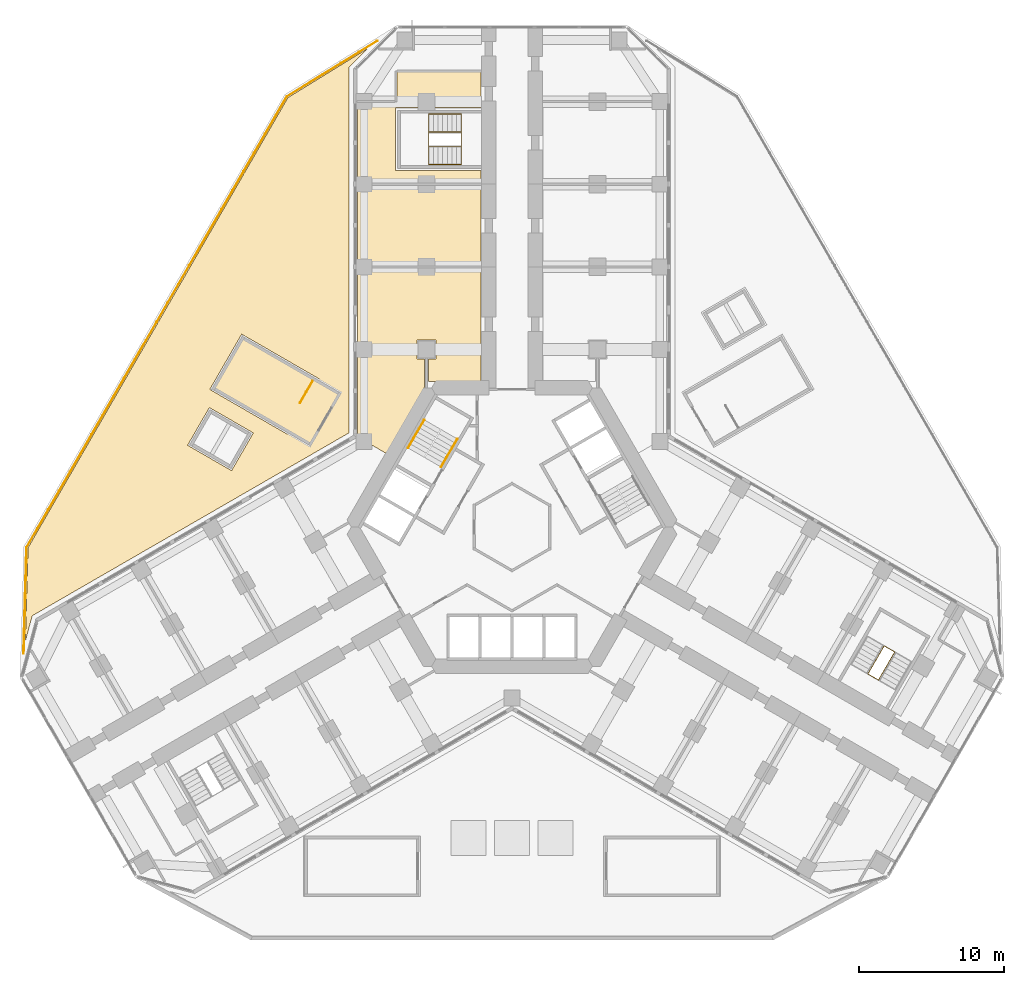
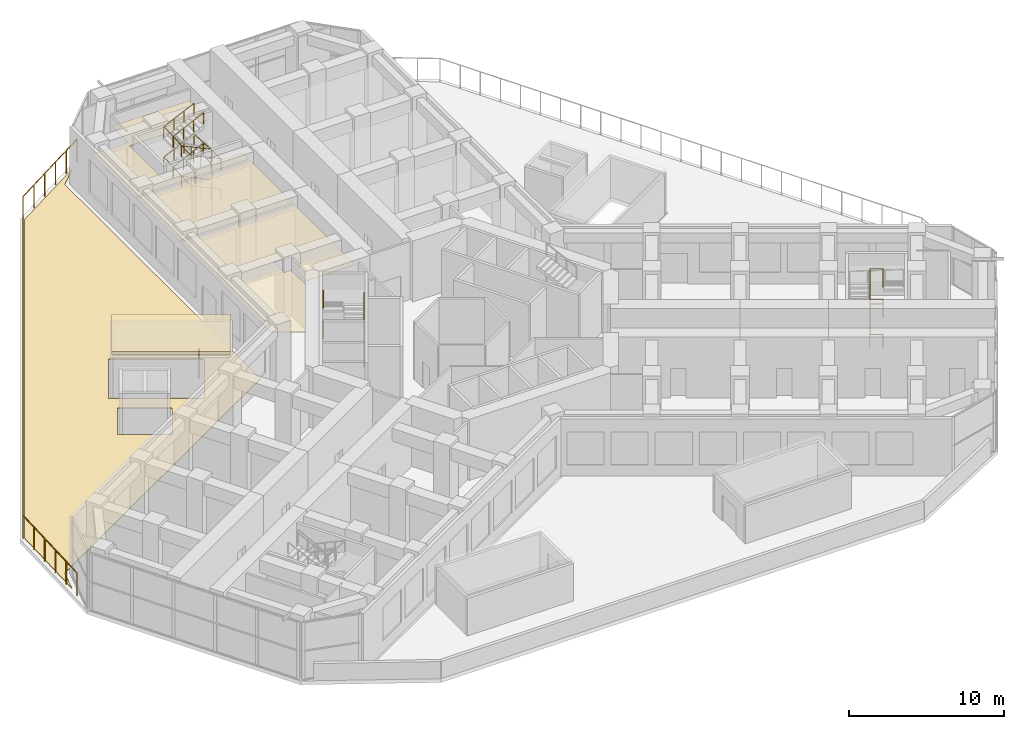
# One storey, part 17 of 18: 9 railings, 5 coverings.
"""IFC4 building model written with IfcOpenShell, lengths in metres."""

import ifcopenshell
import ifcopenshell.guid

model = None  # the IFC model being written
_history = None  # IfcOwnerHistory: only IFC2X3 demands one
_inside = {}  # id of a spatial element -> (the spatial element, [elements in it])
_under = {}  # id of a project, library or spatial element -> (it, [spatial elements below it])
_declared = {}  # id of a project -> (the project, [libraries it declares])
_typed = {}  # id of a type object -> (the type object, [elements of that type])
_made_of = {}  # id of a material, layer set ... -> (it, [elements and type objects made of it])


def new_model(schema):
    """Start an empty IFC model of exactly this schema.

    Asked for "IFC4X3", IfcOpenShell would pick the latest addendum, in which some entities
    have other attributes; the version numbers below select the first issue.
    IFC2X3 requires an IfcOwnerHistory on every rooted entity: one is made here for all.
    """
    global model, _history
    if schema == "IFC4X3":
        model = ifcopenshell.file(schema_version=(4, 3, 0, 0))
    else:
        model = ifcopenshell.file(schema=schema)
    _inside.clear()
    _under.clear()
    _declared.clear()
    _typed.clear()
    _made_of.clear()
    _history = None
    if model.schema == "IFC2X3":
        org = make("IfcOrganization", Name="unknown")
        user = make(
            "IfcPersonAndOrganization",
            ThePerson=make("IfcPerson", FamilyName="unknown"),
            TheOrganization=org,
        )
        app = make(
            "IfcApplication",
            ApplicationDeveloper=org,
            Version="unknown",
            ApplicationFullName="unknown",
            ApplicationIdentifier="unknown",
        )
        _history = make(
            "IfcOwnerHistory",
            OwningUser=user,
            OwningApplication=app,
            ChangeAction="ADDED",
            CreationDate=0,
        )
    return model


def make(cls, **values):
    """One entity of the class cls with the attributes given. An attribute that is None is left unset."""
    return model.create_entity(
        cls, **{name: value for name, value in values.items() if value is not None}
    )


def rooted(cls, **values):
    """An entity with a GlobalId (a new one), such as an element, a storey or a relation."""
    return make(cls, GlobalId=ifcopenshell.guid.new(), OwnerHistory=_history, **values)


def si_unit(unit_type, name, prefix=None):
    """IfcSIUnit, for example si_unit("LENGTHUNIT", "METRE", prefix="MILLI")."""
    return make("IfcSIUnit", UnitType=unit_type, Prefix=prefix, Name=name)


def assignment(units):
    """IfcUnitAssignment: the units of a project."""
    return None if units is None else make("IfcUnitAssignment", Units=units)


def point(xyz):
    """IfcCartesianPoint."""
    return None if xyz is None else make("IfcCartesianPoint", Coordinates=xyz)


def direction(xyz):
    """IfcDirection."""
    return None if xyz is None else make("IfcDirection", DirectionRatios=xyz)


def frame(location, z_axis=None, x_axis=None):
    """IfcAxis2Placement3D, a coordinate frame: its origin and axes. An axis left out is left unset."""
    return make(
        "IfcAxis2Placement3D",
        Location=point(location),
        Axis=direction(z_axis),
        RefDirection=direction(x_axis),
    )


def frame_2d(location, x_axis=None):
    """IfcAxis2Placement2D, a coordinate frame in the plane: its origin and x axis."""
    return make(
        "IfcAxis2Placement2D", Location=point(location), RefDirection=direction(x_axis)
    )


def origin():
    """The frame at (0, 0, 0) with its axes left unset."""
    return frame((0.0, 0.0, 0.0))


def origin_2d():
    """The frame at (0, 0) in the plane with its x axis left unset."""
    return frame_2d((0.0, 0.0))


def place(relative_to, where):
    """IfcLocalPlacement: puts the frame where relative to a parent placement (None: the world)."""
    return make(
        "IfcLocalPlacement", PlacementRelTo=relative_to, RelativePlacement=where
    )


def context(
    kind, dimensions, precision=None, world=None, true_north=None, identifier=None
):
    """IfcGeometricRepresentationContext, for example the 3D "Model" context."""
    return make(
        "IfcGeometricRepresentationContext",
        ContextIdentifier=identifier,
        ContextType=kind,
        CoordinateSpaceDimension=dimensions,
        Precision=precision,
        WorldCoordinateSystem=world,
        TrueNorth=true_north,
    )


def subcontext(parent, identifier, kind, view, scale=None):
    """IfcGeometricRepresentationSubContext, for example "Body" below "Model"."""
    return make(
        "IfcGeometricRepresentationSubContext",
        ContextIdentifier=identifier,
        ContextType=kind,
        ParentContext=parent,
        TargetScale=scale,
        TargetView=view,
    )


def project(units=None, contexts=None):
    """IfcProject with its units and contexts."""
    return rooted(
        "IfcProject",
        Name="project",
        RepresentationContexts=contexts,
        UnitsInContext=assignment(units),
    )


def spatial(cls, under=None, at=None, **own):
    """A site, building, storey or space (cls), placed at a placement, below another one or the project."""
    s = rooted(cls, ObjectPlacement=at, **own)
    if under is not None:
        _under.setdefault(under.id(), (under, []))[1].append(s)
    return s


def polyline(points):
    """IfcPolyline through the points."""
    return make("IfcPolyline", Points=[point(p) for p in points])


def profile(cls, at=None, kind="AREA", **sizes):
    """A parametric profile (cls). Its sizes go by their IFC names, for example OverallWidth=200.0."""
    return make(cls, ProfileType=kind, Position=at, **sizes)


def circle(**sizes):
    """IfcCircleProfileDef."""
    return profile("IfcCircleProfileDef", **sizes)


def outline(outer, holes=None, kind="AREA"):
    """IfcArbitraryClosedProfileDef: a profile drawn as a closed curve; with holes, ...WithVoids."""
    if holes is None:
        return make("IfcArbitraryClosedProfileDef", ProfileType=kind, OuterCurve=outer)
    return make(
        "IfcArbitraryProfileDefWithVoids",
        ProfileType=kind,
        OuterCurve=outer,
        InnerCurves=holes,
    )


def extrude(swept, where, along, depth):
    """IfcExtrudedAreaSolid: the profile swept, set in the frame where, extruded along a direction by depth."""
    return make(
        "IfcExtrudedAreaSolid",
        SweptArea=swept,
        Position=where,
        ExtrudedDirection=direction(along),
        Depth=depth,
    )


def shape(context_of_items, identifier, shape_type, items):
    """IfcShapeRepresentation: the items that make up one representation, for example the "Body"."""
    return make(
        "IfcShapeRepresentation",
        ContextOfItems=context_of_items,
        RepresentationIdentifier=identifier,
        RepresentationType=shape_type,
        Items=items,
    )


def material(Name=None, Category=None):
    """IfcMaterial."""
    return make("IfcMaterial", Name=Name, Category=Category)


def layer(
    of_material, thickness, ventilated=None, Name=None, Category=None, Priority=None
):
    """IfcMaterialLayer: one layer of a wall or slab, of a material (None: an air gap)."""
    return make(
        "IfcMaterialLayer",
        Material=of_material,
        LayerThickness=thickness,
        IsVentilated=ventilated,
        Name=Name,
        Category=Category,
        Priority=Priority,
    )


def layer_set(layers, Name=None):
    """IfcMaterialLayerSet."""
    return make("IfcMaterialLayerSet", MaterialLayers=layers, LayerSetName=Name)


def made_of(thing, what):
    """Note that an element or type object is made of a material, layer set ...; save() writes the relation."""
    if what is not None:
        _made_of.setdefault(what.id(), (what, []))[1].append(thing)
    return thing


def type_object(cls, material=None, **own):
    """A type object (cls), such as IfcWallType, which elements share."""
    return made_of(rooted(cls, **own), material)


def element(
    cls,
    number,
    at=None,
    inside=None,
    cuts=None,
    type_object=None,
    material=None,
    context=None,
    identifier="Body",
    shape_type=None,
    held_by="IfcProductDefinitionShape",
    body=None,
    shapes=None,
    **own,
):
    """One element of the class cls, such as IfcWall. Its Tag is "e" and its number.

    at: its placement. inside: the storey or other place that contains it. cuts: it is an
    opening in that element (IfcRelVoidsElement). A single representation is given by context,
    identifier, shape_type and body (its items); several are given by shapes. held_by: the class
    of the entity that holds the representations. save() writes the other relations.
    """
    e = rooted(cls, Tag="e%d" % number, ObjectPlacement=at, **own)
    if body is not None:
        shapes = [shape(context, identifier, shape_type, body)]
    if shapes is not None:
        e.Representation = make(held_by, Representations=shapes)
    if inside is not None:
        _inside.setdefault(inside.id(), (inside, []))[1].append(e)
    if cuts is not None:
        rooted(
            "IfcRelVoidsElement", RelatingBuildingElement=cuts, RelatedOpeningElement=e
        )
    if type_object is not None:
        _typed.setdefault(type_object.id(), (type_object, []))[1].append(e)
    return made_of(e, material)


def aggregate(whole, parts):
    """IfcRelAggregates: a whole, such as a stair, and the parts it consists of."""
    return rooted("IfcRelAggregates", RelatingObject=whole, RelatedObjects=parts)


def save(model, path):
    """Write the relations noted so far, then the file.

    IfcRelAggregates (storeys below a building ...), IfcRelContainedInSpatialStructure (elements
    in a storey), IfcRelDefinesByType, IfcRelAssociatesMaterial and IfcRelDeclares: one each for
    every whole, place, type object, material and project.
    """
    for whole, parts in _under.values():
        aggregate(whole, parts)
    for where, things in _inside.values():
        rooted(
            "IfcRelContainedInSpatialStructure",
            RelatedElements=things,
            RelatingStructure=where,
        )
    for kind, things in _typed.values():
        rooted("IfcRelDefinesByType", RelatedObjects=things, RelatingType=kind)
    for what, things in _made_of.values():
        rooted("IfcRelAssociatesMaterial", RelatedObjects=things, RelatingMaterial=what)
    for by, libraries in _declared.values():
        rooted("IfcRelDeclares", RelatingContext=by, RelatedDefinitions=libraries)
    model.write(path)


model = new_model("IFC4")

# Units and contexts
model_context = context("Model", 3, precision=1e-05, world=origin(), true_north=direction((0.0, 1.0)))
body_context = subcontext(model_context, "Body", "Model", "MODEL_VIEW")
ifc_project = project(units=[si_unit("LENGTHUNIT", "METRE"), si_unit("AREAUNIT", "SQUARE_METRE"), si_unit("VOLUMEUNIT", "CUBIC_METRE"), si_unit("PLANEANGLEUNIT", "RADIAN"), si_unit("MASSUNIT", "GRAM", prefix="KILO")], contexts=[model_context])

# Site, building, storey
site_placement = place(None, origin())
site = spatial("IfcSite", under=ifc_project, at=site_placement, CompositionType="ELEMENT")
building_placement = place(site_placement, origin())
building = spatial("IfcBuilding", under=site, at=building_placement, Name="Kosmar Iwan School Tower", CompositionType="ELEMENT")
storey_placement = place(building_placement, frame((0.0, 0.0, 20.39990234375)))
storey = spatial("IfcBuildingStorey", under=building, at=storey_placement, Name="L04", CompositionType="ELEMENT", Elevation=20.39990234375)

# Coverings
ifc_material_1 = material(Name="Mineral fibre acoustic tiles")
ifc_layer_1 = layer(ifc_material_1, 0.02490234375)
ifc_layer_set_1 = layer_set([ifc_layer_1], Name="Acoustic ceiling")
covering_type_1 = type_object("IfcCoveringType", Name="Acoustic ceiling", PredefinedType="CEILING", material=ifc_layer_set_1)
covering_1_placement = place(storey_placement, frame((0.0, 0.0, 3.650146484375)))
element("IfcCovering", 1, at=covering_1_placement, inside=storey, type_object=covering_type_1, Name="Ceiling Physics laboratory AL L04-AL-R1", PredefinedType="CEILING", context=body_context, shape_type="SweptSolid", body=[
    extrude(outline(polyline([(-8.67236328125, 5.0791015625), (-6.02490234375, 9.664306640625), (-6.02490234375, 11.60009765625), (-6.550048828125, 11.60009765625), (-6.550048828125, 12.89990234375), (-5.25, 12.89990234375), (-5.25, 11.60009765625), (-5.77490234375, 11.60009765625), (-5.77490234375, 10.050048828125), (-2.14990234375, 10.050048828125), (-2.14990234375, 17.89990234375), (-10.64990234375, 17.89990234375), (-10.64990234375, 6.224365234375), (-8.67236328125, 5.0791015625)])), origin(), (0.0, 0.0, 1.0), 0.02490234375),
])
covering_2_placement = place(storey_placement, frame((0.0, 0.0, 3.650146484375)))
element("IfcCovering", 2, at=covering_2_placement, inside=storey, type_object=covering_type_1, Name="Ceiling Chemistry laboratory AL L04-AL-R2", PredefinedType="CEILING", context=body_context, shape_type="SweptSolid", body=[
    extrude(outline(polyline([(-10.64990234375, 18.06005859375), (-2.14990234375, 18.06005859375), (-2.14990234375, 23.60009765625), (-10.64990234375, 23.60009765625), (-10.64990234375, 18.06005859375)])), origin(), (0.0, 0.0, 1.0), 0.02490234375),
])
covering_3_placement = place(storey_placement, frame((0.0, 0.0, 3.650146484375)))
element("IfcCovering", 3, at=covering_3_placement, inside=storey, type_object=covering_type_1, Name="Ceiling Biology laboratory AL L04-AL-R3", PredefinedType="CEILING", context=body_context, shape_type="SweptSolid", body=[
    extrude(outline(polyline([(-10.64990234375, 23.760009765625), (-2.14990234375, 23.760009765625), (-2.14990234375, 24.60009765625), (-8.050048828125, 24.60009765625), (-8.050048828125, 28.89990234375), (-2.14990234375, 28.89990234375), (-2.14990234375, 31.39990234375), (-7.949951171875, 31.39990234375), (-7.949951171875, 29.300048828125), (-10.64990234375, 29.300048828125), (-10.64990234375, 23.760009765625)])), origin(), (0.0, 0.0, 1.0), 0.02490234375),
])

# Railing
ifc_material_2 = material(Name="Black steel", Category="steel")
railing_type_1 = type_object("IfcRailingType", Name="Play deck guard 1800", PredefinedType="GUARDRAIL", material=ifc_material_2)
railing_1_placement = place(storey_placement, frame((-33.691162109375, -8.715576171875, 0.0400390625)))
element("IfcRailing", 4, at=railing_1_placement, inside=storey, type_object=railing_type_1, Name="Play deck guard AB", PredefinedType="GUARDRAIL", context=body_context, shape_type="SweptSolid", body=[
    extrude(circle(Radius=0.02392578125, at=origin_2d()), frame((0.0, 0.0, 1.77587890625), z_axis=(0.028401797259, 0.999596587585, 0.0), x_axis=(-0.999596587585, 0.028401797259, 0.0)), (0.0, 0.0, 1.0), 7.32373046875),
    extrude(circle(Radius=0.02392578125, at=origin_2d()), frame((0.2080078125, 7.32080078125, 1.77587890625), z_axis=(0.500000316343, 0.866025221144, 0.0), x_axis=(-0.866025221144, 0.500000316343, 0.0)), (0.0, 0.0, 1.0), 35.89892578125),
    extrude(circle(Radius=0.02392578125, at=origin_2d()), frame((18.157470703125, 38.41015625, 1.77587890625), z_axis=(0.851476281934, 0.52439311714, 0.0), x_axis=(-0.52439311714, 0.851476281934, 0.0)), (0.0, 0.0, 1.0), 7.32373046875),
    extrude(circle(Radius=0.02099609375, at=origin_2d()), origin(), (0.0, 0.0, 1.0), 1.751953125),
    extrude(circle(Radius=0.02099609375, at=origin_2d()), frame((0.04150390625, 1.464111328125, 0.0)), (0.0, 0.0, 1.0), 1.751953125),
    extrude(circle(Radius=0.02099609375, at=origin_2d()), frame((0.083251953125, 2.92822265625, 0.0)), (0.0, 0.0, 1.0), 1.751953125),
    extrude(circle(Radius=0.02099609375, at=origin_2d()), frame((0.124755859375, 4.392578125, 0.0)), (0.0, 0.0, 1.0), 1.751953125),
    extrude(circle(Radius=0.02099609375, at=origin_2d()), frame((0.16650390625, 5.856689453125, 0.0)), (0.0, 0.0, 1.0), 1.751953125),
    extrude(circle(Radius=0.02099609375, at=origin_2d()), frame((0.2080078125, 7.32080078125, 0.0)), (0.0, 0.0, 1.0), 1.751953125),
    extrude(circle(Radius=0.02099609375, at=origin_2d()), frame((0.955810546875, 8.6162109375, 0.0)), (0.0, 0.0, 1.0), 1.751953125),
    extrude(circle(Radius=0.02099609375, at=origin_2d()), frame((1.703857421875, 9.91162109375, 0.0)), (0.0, 0.0, 1.0), 1.751953125),
    extrude(circle(Radius=0.02099609375, at=origin_2d()), frame((2.45166015625, 11.20703125, 0.0)), (0.0, 0.0, 1.0), 1.751953125),
    extrude(circle(Radius=0.02099609375, at=origin_2d()), frame((3.19970703125, 12.50244140625, 0.0)), (0.0, 0.0, 1.0), 1.751953125),
    extrude(circle(Radius=0.02099609375, at=origin_2d()), frame((3.947509765625, 13.7978515625, 0.0)), (0.0, 0.0, 1.0), 1.751953125),
    extrude(circle(Radius=0.02099609375, at=origin_2d()), frame((4.6953125, 15.09326171875, 0.0)), (0.0, 0.0, 1.0), 1.751953125),
    extrude(circle(Radius=0.02099609375, at=origin_2d()), frame((5.443359375, 16.388427734375, 0.0)), (0.0, 0.0, 1.0), 1.751953125),
    extrude(circle(Radius=0.02099609375, at=origin_2d()), frame((6.191162109375, 17.683837890625, 0.0)), (0.0, 0.0, 1.0), 1.751953125),
    extrude(circle(Radius=0.02099609375, at=origin_2d()), frame((6.93896484375, 18.979248046875, 0.0)), (0.0, 0.0, 1.0), 1.751953125),
    extrude(circle(Radius=0.02099609375, at=origin_2d()), frame((7.68701171875, 20.274658203125, 0.0)), (0.0, 0.0, 1.0), 1.751953125),
    extrude(circle(Radius=0.02099609375, at=origin_2d()), frame((8.434814453125, 21.570068359375, 0.0)), (0.0, 0.0, 1.0), 1.751953125),
    extrude(circle(Radius=0.02099609375, at=origin_2d()), frame((9.1826171875, 22.865478515625, 0.0)), (0.0, 0.0, 1.0), 1.751953125),
    extrude(circle(Radius=0.02099609375, at=origin_2d()), frame((9.9306640625, 24.160888671875, 0.0)), (0.0, 0.0, 1.0), 1.751953125),
    extrude(circle(Radius=0.02099609375, at=origin_2d()), frame((10.678466796875, 25.456298828125, 0.0)), (0.0, 0.0, 1.0), 1.751953125),
    extrude(circle(Radius=0.02099609375, at=origin_2d()), frame((11.426513671875, 26.751708984375, 0.0)), (0.0, 0.0, 1.0), 1.751953125),
    extrude(circle(Radius=0.02099609375, at=origin_2d()), frame((12.17431640625, 28.047119140625, 0.0)), (0.0, 0.0, 1.0), 1.751953125),
    extrude(circle(Radius=0.02099609375, at=origin_2d()), frame((12.922119140625, 29.342529296875, 0.0)), (0.0, 0.0, 1.0), 1.751953125),
    extrude(circle(Radius=0.02099609375, at=origin_2d()), frame((13.670166015625, 30.6376953125, 0.0)), (0.0, 0.0, 1.0), 1.751953125),
    extrude(circle(Radius=0.02099609375, at=origin_2d()), frame((14.41796875, 31.93310546875, 0.0)), (0.0, 0.0, 1.0), 1.751953125),
    extrude(circle(Radius=0.02099609375, at=origin_2d()), frame((15.166015625, 33.228515625, 0.0)), (0.0, 0.0, 1.0), 1.751953125),
    extrude(circle(Radius=0.02099609375, at=origin_2d()), frame((15.913818359375, 34.52392578125, 0.0)), (0.0, 0.0, 1.0), 1.751953125),
    extrude(circle(Radius=0.02099609375, at=origin_2d()), frame((16.66162109375, 35.8193359375, 0.0)), (0.0, 0.0, 1.0), 1.751953125),
    extrude(circle(Radius=0.02099609375, at=origin_2d()), frame((17.40966796875, 37.11474609375, 0.0)), (0.0, 0.0, 1.0), 1.751953125),
    extrude(circle(Radius=0.02099609375, at=origin_2d()), frame((18.157470703125, 38.41015625, 0.0)), (0.0, 0.0, 1.0), 1.751953125),
    extrude(circle(Radius=0.02099609375, at=origin_2d()), frame((19.40478515625, 39.17822265625, 0.0)), (0.0, 0.0, 1.0), 1.751953125),
    extrude(circle(Radius=0.02099609375, at=origin_2d()), frame((20.65185546875, 39.9462890625, 0.0)), (0.0, 0.0, 1.0), 1.751953125),
    extrude(circle(Radius=0.02099609375, at=origin_2d()), frame((21.899169921875, 40.714599609375, 0.0)), (0.0, 0.0, 1.0), 1.751953125),
    extrude(circle(Radius=0.02099609375, at=origin_2d()), frame((23.146240234375, 41.482666015625, 0.0)), (0.0, 0.0, 1.0), 1.751953125),
    extrude(circle(Radius=0.02099609375, at=origin_2d()), frame((24.3935546875, 42.250732421875, 0.0)), (0.0, 0.0, 1.0), 1.751953125),
])

# Coverings
ifc_material_3 = material(Name="Rubber safety surfacing")
ifc_layer_2 = layer(ifc_material_3, 0.0400390625)
ifc_layer_set_2 = layer_set([ifc_layer_2], Name="Play deck safety surface")
covering_type_2 = type_object("IfcCoveringType", Name="Play deck safety surface", PredefinedType="FLOORING", material=ifc_layer_set_2)
covering_4_placement = place(storey_placement, origin())
element("IfcCovering", 5, at=covering_4_placement, inside=storey, type_object=covering_type_2, Name="Play deck surface AB", PredefinedType="FLOORING", context=body_context, shape_type="SweptSolid", body=[
    extrude(outline(polyline([(-33.56689453125, -7.86572265625), (-33.09912109375, -6.119384765625), (-11.25, 6.4951171875), (-11.25, 31.724365234375), (-9.971435546875, 33.002685546875), (-15.459716796875, 29.622802734375), (-33.384033203125, -1.4228515625), (-33.56689453125, -7.86572265625)]), holes=[polyline([(-20.845458984375, 9.49462890625), (-15.493408203125, 6.40478515625), (-13.29345703125, 10.21533203125), (-18.645263671875, 13.30517578125), (-20.845458984375, 9.49462890625)]), polyline([(-20.875732421875, 8.2421875), (-22.375732421875, 5.64404296875), (-19.3447265625, 3.89404296875), (-17.8447265625, 6.4921875), (-20.875732421875, 8.2421875)])]), origin(), (0.0, 0.0, 1.0), 0.0400390625),
])
ifc_material_4 = material(Name="Insulated roofing membrane")
ifc_layer_3 = layer(ifc_material_4, 0.25)
ifc_layer_set_3 = layer_set([ifc_layer_3], Name="Roof membrane and insulation")
covering_type_3 = type_object("IfcCoveringType", Name="Roof membrane and insulation", PredefinedType="ROOFING", material=ifc_layer_set_3)
covering_5_placement = place(storey_placement, frame((0.0, 0.0, 3.400146484375)))
element("IfcCovering", 6, at=covering_5_placement, inside=storey, type_object=covering_type_3, Name="School stair SS4 roof covering", PredefinedType="ROOFING", context=body_context, shape_type="SweptSolid", body=[
    extrude(outline(polyline([(-11.853759765625, 9.2685546875), (-18.522216796875, 13.11865234375), (-20.6220703125, 9.4814453125), (-13.953857421875, 5.63134765625), (-11.853759765625, 9.2685546875)])), origin(), (0.0, 0.0, 1.0), 0.25),
])

# Railings
ifc_material_5 = material(Name="Black steel", Category="steel")
railing_type_2 = type_object("IfcRailingType", Name="Stair handrail 900", PredefinedType="HANDRAIL", material=ifc_material_5)
railing_2_placement = place(storey_placement, frame((-4.89453125, 4.142333984375, 0.150146484375)))
element("IfcRailing", 7, at=railing_2_placement, inside=storey, type_object=railing_type_2, Name="Handrail ST2 flight 1", PredefinedType="HANDRAIL", context=body_context, shape_type="SweptSolid", body=[
    extrude(circle(Radius=0.02392578125, at=origin_2d()), frame((0.0, 0.0, 0.8759765625), z_axis=(0.45267848932, 0.784169015945, 0.424453931233), x_axis=(-0.866054910533, 0.49994888933, 0.0)), (0.0, 0.0, 1.0), 2.473876953125),
    extrude(circle(Radius=0.02099609375, at=origin_2d()), origin(), (0.0, 0.0, 1.0), 0.851806640625),
    extrude(circle(Radius=0.02099609375, at=origin_2d()), frame((0.373291015625, 0.646728515625, 0.35009765625)), (0.0, 0.0, 1.0), 0.851806640625),
    extrude(circle(Radius=0.02099609375, at=origin_2d()), frame((0.74658203125, 1.293212890625, 0.699951171875)), (0.0, 0.0, 1.0), 0.851806640625),
    extrude(circle(Radius=0.02099609375, at=origin_2d()), frame((1.119873046875, 1.93994140625, 1.050048828125)), (0.0, 0.0, 1.0), 0.851806640625),
])
railing_3_placement = place(storey_placement, frame((-6.05224609375, 7.397216796875, 1.35009765625)))
element("IfcRailing", 8, at=railing_3_placement, inside=storey, type_object=railing_type_2, Name="Handrail ST2 flight 2", PredefinedType="HANDRAIL", context=body_context, shape_type="SweptSolid", body=[
    extrude(circle(Radius=0.02392578125, at=origin_2d()), frame((0.0, 0.0, 0.8759765625), z_axis=(-0.452756948549, -0.784133982819, 0.424434968551), x_axis=(0.866007717299, -0.500030632641, 0.0)), (0.0, 0.0, 1.0), 2.473876953125),
    extrude(circle(Radius=0.02099609375, at=origin_2d()), origin(), (0.0, 0.0, 1.0), 0.851806640625),
    extrude(circle(Radius=0.02099609375, at=origin_2d()), frame((-0.373291015625, -0.646728515625, 0.35009765625)), (0.0, 0.0, 1.0), 0.851806640625),
    extrude(circle(Radius=0.02099609375, at=origin_2d()), frame((-0.746826171875, -1.293212890625, 0.699951171875)), (0.0, 0.0, 1.0), 0.851806640625),
    extrude(circle(Radius=0.02099609375, at=origin_2d()), frame((-1.1201171875, -1.93994140625, 1.050048828125)), (0.0, 0.0, 1.0), 0.851806640625),
])
railing_4_placement = place(storey_placement, frame((-4.89453125, 4.142333984375, 2.550048828125)))
element("IfcRailing", 9, at=railing_4_placement, inside=storey, type_object=railing_type_2, Name="Handrail ST2 flight 3", PredefinedType="HANDRAIL", context=body_context, shape_type="SweptSolid", body=[
    extrude(circle(Radius=0.02392578125, at=origin_2d()), frame((0.0, 0.0, 0.8759765625), z_axis=(0.45267848932, 0.784169015945, 0.424453931233), x_axis=(-0.866054910533, 0.49994888933, 0.0)), (0.0, 0.0, 1.0), 2.473876953125),
    extrude(circle(Radius=0.02099609375, at=origin_2d()), origin(), (0.0, 0.0, 1.0), 0.851806640625),
    extrude(circle(Radius=0.02099609375, at=origin_2d()), frame((0.373291015625, 0.646728515625, 0.35009765625)), (0.0, 0.0, 1.0), 0.851806640625),
    extrude(circle(Radius=0.02099609375, at=origin_2d()), frame((0.74658203125, 1.293212890625, 0.699951171875)), (0.0, 0.0, 1.0), 0.851806640625),
    extrude(circle(Radius=0.02099609375, at=origin_2d()), frame((1.119873046875, 1.93994140625, 1.050048828125)), (0.0, 0.0, 1.0), 0.851806640625),
])
railing_5_placement = place(storey_placement, frame((-6.05224609375, 7.397216796875, 3.75)))
element("IfcRailing", 10, at=railing_5_placement, inside=storey, type_object=railing_type_2, Name="Handrail ST2 flight 4", PredefinedType="HANDRAIL", context=body_context, shape_type="SweptSolid", body=[
    extrude(circle(Radius=0.02392578125, at=origin_2d()), frame((0.0, 0.0, 0.8759765625), z_axis=(-0.452756948549, -0.784133982819, 0.424434968551), x_axis=(0.866007717299, -0.500030632641, 0.0)), (0.0, 0.0, 1.0), 2.473876953125),
    extrude(circle(Radius=0.02099609375, at=origin_2d()), origin(), (0.0, 0.0, 1.0), 0.851806640625),
    extrude(circle(Radius=0.02099609375, at=origin_2d()), frame((-0.373291015625, -0.646728515625, 0.35009765625)), (0.0, 0.0, 1.0), 0.851806640625),
    extrude(circle(Radius=0.02099609375, at=origin_2d()), frame((-0.746826171875, -1.293212890625, 0.699951171875)), (0.0, 0.0, 1.0), 0.851806640625),
    extrude(circle(Radius=0.02099609375, at=origin_2d()), frame((-1.1201171875, -1.93994140625, 1.050048828125)), (0.0, 0.0, 1.0), 0.851806640625),
])
railing_6_placement = place(storey_placement, frame((-3.5, 25.010009765625, 0.150146484375)))
element("IfcRailing", 11, at=railing_6_placement, inside=storey, type_object=railing_type_2, Name="Handrail stair WS1 L04 wall side", PredefinedType="HANDRAIL", context=body_context, shape_type="SweptSolid", body=[
    extrude(circle(Radius=0.02392578125, at=origin_2d()), frame((0.0, 0.0, 0.8759765625), z_axis=(-0.905450639465, 0.0, 0.424451574969), x_axis=(0.0, -1.0, 0.0)), (0.0, 0.0, 1.0), 2.473876953125),
    extrude(circle(Radius=0.02392578125, at=origin_2d()), frame((-2.239990234375, 0.0, 1.92578125), z_axis=(0.0, 0.999073534241, 0.0430357198), x_axis=(-1.0, 0.0, 0.0)), (0.0, 0.0, 1.0), 3.483154296875),
    extrude(circle(Radius=0.02392578125, at=origin_2d()), frame((-2.239990234375, 3.47998046875, 2.07568359375), z_axis=(0.905450639465, 0.0, 0.424451574969), x_axis=(0.0, 1.0, 0.0)), (0.0, 0.0, 1.0), 2.473876953125),
    extrude(circle(Radius=0.02392578125, at=origin_2d()), frame((0.0, 3.47998046875, 3.1259765625), z_axis=(0.0, -0.999073534241, 0.0430357198), x_axis=(1.0, 0.0, 0.0)), (0.0, 0.0, 1.0), 3.483154296875),
    extrude(circle(Radius=0.02392578125, at=origin_2d()), frame((0.0, 0.0, 3.27587890625), z_axis=(-0.905450639465, 0.0, 0.424451574969), x_axis=(0.0, -1.0, 0.0)), (0.0, 0.0, 1.0), 2.473876953125),
    extrude(circle(Radius=0.02392578125, at=origin_2d()), frame((-2.239990234375, 0.0, 4.32568359375), z_axis=(0.0, 0.999073534241, 0.0430357198), x_axis=(-1.0, 0.0, 0.0)), (0.0, 0.0, 1.0), 3.483154296875),
    extrude(circle(Radius=0.02392578125, at=origin_2d()), frame((-2.239990234375, 3.47998046875, 4.4755859375), z_axis=(0.905450639465, 0.0, 0.424451574969), x_axis=(0.0, 1.0, 0.0)), (0.0, 0.0, 1.0), 2.473876953125),
    extrude(circle(Radius=0.02099609375, at=origin_2d()), origin(), (0.0, 0.0, 1.0), 0.851806640625),
    extrude(circle(Radius=0.02099609375, at=origin_2d()), frame((-0.74658203125, 0.0, 0.35009765625)), (0.0, 0.0, 1.0), 0.851806640625),
    extrude(circle(Radius=0.02099609375, at=origin_2d()), frame((-1.493408203125, 0.0, 0.699951171875)), (0.0, 0.0, 1.0), 0.851806640625),
    extrude(circle(Radius=0.02099609375, at=origin_2d()), frame((-2.239990234375, 0.0, 1.050048828125)), (0.0, 0.0, 1.0), 0.851806640625),
    extrude(circle(Radius=0.02099609375, at=origin_2d()), frame((-2.239990234375, 1.159912109375, 1.10009765625)), (0.0, 0.0, 1.0), 0.851806640625),
    extrude(circle(Radius=0.02099609375, at=origin_2d()), frame((-2.239990234375, 2.320068359375, 1.14990234375)), (0.0, 0.0, 1.0), 0.851806640625),
    extrude(circle(Radius=0.02099609375, at=origin_2d()), frame((-2.239990234375, 3.47998046875, 1.199951171875)), (0.0, 0.0, 1.0), 0.851806640625),
    extrude(circle(Radius=0.02099609375, at=origin_2d()), frame((-1.493408203125, 3.47998046875, 1.550048828125)), (0.0, 0.0, 1.0), 0.851806640625),
    extrude(circle(Radius=0.02099609375, at=origin_2d()), frame((-0.74658203125, 3.47998046875, 1.89990234375)), (0.0, 0.0, 1.0), 0.851806640625),
    extrude(circle(Radius=0.02099609375, at=origin_2d()), frame((0.0, 3.47998046875, 2.25)), (0.0, 0.0, 1.0), 0.851806640625),
    extrude(circle(Radius=0.02099609375, at=origin_2d()), frame((0.0, 2.320068359375, 2.300048828125)), (0.0, 0.0, 1.0), 0.851806640625),
    extrude(circle(Radius=0.02099609375, at=origin_2d()), frame((0.0, 1.159912109375, 2.349853515625)), (0.0, 0.0, 1.0), 0.851806640625),
    extrude(circle(Radius=0.02099609375, at=origin_2d()), frame((0.0, 0.0, 2.39990234375)), (0.0, 0.0, 1.0), 0.851806640625),
    extrude(circle(Radius=0.02099609375, at=origin_2d()), frame((-0.74658203125, 0.0, 2.75)), (0.0, 0.0, 1.0), 0.851806640625),
    extrude(circle(Radius=0.02099609375, at=origin_2d()), frame((-1.493408203125, 0.0, 3.099853515625)), (0.0, 0.0, 1.0), 0.851806640625),
    extrude(circle(Radius=0.02099609375, at=origin_2d()), frame((-2.239990234375, 0.0, 3.449951171875)), (0.0, 0.0, 1.0), 0.851806640625),
    extrude(circle(Radius=0.02099609375, at=origin_2d()), frame((-2.239990234375, 1.159912109375, 3.5)), (0.0, 0.0, 1.0), 0.851806640625),
    extrude(circle(Radius=0.02099609375, at=origin_2d()), frame((-2.239990234375, 2.320068359375, 3.5498046875)), (0.0, 0.0, 1.0), 0.851806640625),
    extrude(circle(Radius=0.02099609375, at=origin_2d()), frame((-2.239990234375, 3.47998046875, 3.599853515625)), (0.0, 0.0, 1.0), 0.851806640625),
    extrude(circle(Radius=0.02099609375, at=origin_2d()), frame((-1.493408203125, 3.47998046875, 3.949951171875)), (0.0, 0.0, 1.0), 0.851806640625),
    extrude(circle(Radius=0.02099609375, at=origin_2d()), frame((-0.74658203125, 3.47998046875, 4.2998046875)), (0.0, 0.0, 1.0), 0.851806640625),
    extrude(circle(Radius=0.02099609375, at=origin_2d()), frame((0.0, 3.47998046875, 4.64990234375)), (0.0, 0.0, 1.0), 0.851806640625),
])
railing_7_placement = place(storey_placement, frame((-3.5, 26.239990234375, 0.150146484375)))
element("IfcRailing", 12, at=railing_7_placement, inside=storey, type_object=railing_type_2, Name="Handrail stair WS1 L04 well side", PredefinedType="HANDRAIL", context=body_context, shape_type="SweptSolid", body=[
    extrude(circle(Radius=0.02392578125, at=origin_2d()), frame((0.0, 0.0, 0.8759765625), z_axis=(-0.905450639465, 0.0, 0.424451574969), x_axis=(0.0, -1.0, 0.0)), (0.0, 0.0, 1.0), 2.473876953125),
    extrude(circle(Radius=0.02392578125, at=origin_2d()), frame((-2.239990234375, 0.0, 1.92578125), z_axis=(0.0, 0.989373166647, 0.145398545793), x_axis=(-1.0, 0.0, 0.0)), (0.0, 0.0, 1.0), 1.031005859375),
    extrude(circle(Radius=0.02392578125, at=origin_2d()), frame((-2.239990234375, 1.02001953125, 2.07568359375), z_axis=(0.905450639465, 0.0, 0.424451574969), x_axis=(0.0, 1.0, 0.0)), (0.0, 0.0, 1.0), 2.473876953125),
    extrude(circle(Radius=0.02392578125, at=origin_2d()), frame((0.0, 1.02001953125, 3.1259765625), z_axis=(0.0, -0.989373166647, 0.145398545793), x_axis=(1.0, 0.0, 0.0)), (0.0, 0.0, 1.0), 1.031005859375),
    extrude(circle(Radius=0.02392578125, at=origin_2d()), frame((0.0, 0.0, 3.27587890625), z_axis=(-0.905450639465, 0.0, 0.424451574969), x_axis=(0.0, -1.0, 0.0)), (0.0, 0.0, 1.0), 2.473876953125),
    extrude(circle(Radius=0.02392578125, at=origin_2d()), frame((-2.239990234375, 0.0, 4.32568359375), z_axis=(0.0, 0.989373166647, 0.145398545793), x_axis=(-1.0, 0.0, 0.0)), (0.0, 0.0, 1.0), 1.031005859375),
    extrude(circle(Radius=0.02392578125, at=origin_2d()), frame((-2.239990234375, 1.02001953125, 4.4755859375), z_axis=(0.905450639465, 0.0, 0.424451574969), x_axis=(0.0, 1.0, 0.0)), (0.0, 0.0, 1.0), 2.473876953125),
    extrude(circle(Radius=0.02099609375, at=origin_2d()), origin(), (0.0, 0.0, 1.0), 0.851806640625),
    extrude(circle(Radius=0.02099609375, at=origin_2d()), frame((-0.74658203125, 0.0, 0.35009765625)), (0.0, 0.0, 1.0), 0.851806640625),
    extrude(circle(Radius=0.02099609375, at=origin_2d()), frame((-1.493408203125, 0.0, 0.699951171875)), (0.0, 0.0, 1.0), 0.851806640625),
    extrude(circle(Radius=0.02099609375, at=origin_2d()), frame((-2.239990234375, 0.0, 1.050048828125)), (0.0, 0.0, 1.0), 0.851806640625),
    extrude(circle(Radius=0.02099609375, at=origin_2d()), frame((-2.239990234375, 1.02001953125, 1.199951171875)), (0.0, 0.0, 1.0), 0.851806640625),
    extrude(circle(Radius=0.02099609375, at=origin_2d()), frame((-1.493408203125, 1.02001953125, 1.550048828125)), (0.0, 0.0, 1.0), 0.851806640625),
    extrude(circle(Radius=0.02099609375, at=origin_2d()), frame((-0.74658203125, 1.02001953125, 1.89990234375)), (0.0, 0.0, 1.0), 0.851806640625),
    extrude(circle(Radius=0.02099609375, at=origin_2d()), frame((0.0, 1.02001953125, 2.25)), (0.0, 0.0, 1.0), 0.851806640625),
    extrude(circle(Radius=0.02099609375, at=origin_2d()), frame((0.0, 0.0, 2.39990234375)), (0.0, 0.0, 1.0), 0.851806640625),
    extrude(circle(Radius=0.02099609375, at=origin_2d()), frame((-0.74658203125, 0.0, 2.75)), (0.0, 0.0, 1.0), 0.851806640625),
    extrude(circle(Radius=0.02099609375, at=origin_2d()), frame((-1.493408203125, 0.0, 3.099853515625)), (0.0, 0.0, 1.0), 0.851806640625),
    extrude(circle(Radius=0.02099609375, at=origin_2d()), frame((-2.239990234375, 0.0, 3.449951171875)), (0.0, 0.0, 1.0), 0.851806640625),
    extrude(circle(Radius=0.02099609375, at=origin_2d()), frame((-2.239990234375, 1.02001953125, 3.599853515625)), (0.0, 0.0, 1.0), 0.851806640625),
    extrude(circle(Radius=0.02099609375, at=origin_2d()), frame((-1.493408203125, 1.02001953125, 3.949951171875)), (0.0, 0.0, 1.0), 0.851806640625),
    extrude(circle(Radius=0.02099609375, at=origin_2d()), frame((-0.74658203125, 1.02001953125, 4.2998046875)), (0.0, 0.0, 1.0), 0.851806640625),
    extrude(circle(Radius=0.02099609375, at=origin_2d()), frame((0.0, 1.02001953125, 4.64990234375)), (0.0, 0.0, 1.0), 0.851806640625),
])
ifc_material_6 = material(Name="Black steel", Category="steel")
railing_type_3 = type_object("IfcRailingType", Name="Stair well guard 1100", PredefinedType="GUARDRAIL", material=ifc_material_6)
railing_8_placement = place(storey_placement, frame((25.280029296875, -10.553955078125, 0.0)))
element("IfcRailing", 13, at=railing_8_placement, inside=storey, type_object=railing_type_3, Name="Stair WS3 L04 well guard", PredefinedType="GUARDRAIL", context=body_context, shape_type="SweptSolid", body=[
    extrude(circle(Radius=0.02392578125, at=origin_2d()), frame((0.0, 0.0, 1.076171875), z_axis=(-0.865962960534, 0.500108139288, 0.0), x_axis=(-0.500108139288, -0.865962960534, 0.0)), (0.0, 0.0, 1.0), 0.840087890625),
    extrude(circle(Radius=0.02392578125, at=origin_2d()), frame((-0.7275390625, 0.420166015625, 1.076171875), z_axis=(0.440710162962, 0.763340362924, 0.472319851999), x_axis=(-0.866027664105, 0.49999608499, 0.0)), (0.0, 0.0, 1.0), 2.541015625),
    extrude(circle(Radius=0.02392578125, at=origin_2d()), frame((0.392333984375, 2.35986328125, 2.2763671875), z_axis=(0.866088799389, -0.499890179513, 0.0), x_axis=(0.499890179513, 0.866088799389, 0.0)), (0.0, 0.0, 1.0), 0.840087890625),
    extrude(circle(Radius=0.02392578125, at=origin_2d()), frame((1.119873046875, 1.93994140625, 2.2763671875), z_axis=(-0.44069783685, -0.763415088643, 0.472210566408), x_axis=(0.866054910533, -0.49994888933, 0.0)), (0.0, 0.0, 1.0), 2.541015625),
    extrude(circle(Radius=0.02392578125, at=origin_2d()), frame((0.0, 0.0, 3.47607421875), z_axis=(-0.865962960534, 0.500108139288, 0.0), x_axis=(-0.500108139288, -0.865962960534, 0.0)), (0.0, 0.0, 1.0), 0.840087890625),
    extrude(circle(Radius=0.02392578125, at=origin_2d()), frame((-0.7275390625, 0.420166015625, 3.47607421875), z_axis=(0.440730161534, 0.763375001828, 0.472245202515), x_axis=(-0.866027664105, 0.49999608499, 0.0)), (0.0, 0.0, 1.0), 2.541015625),
    extrude(circle(Radius=0.02392578125, at=origin_2d()), frame((0.392333984375, 2.35986328125, 4.67626953125), z_axis=(0.866088799389, -0.499890179513, 0.0), x_axis=(0.499890179513, 0.866088799389, 0.0)), (0.0, 0.0, 1.0), 0.840087890625),
    extrude(circle(Radius=0.02392578125, at=origin_2d()), frame((1.119873046875, 1.93994140625, 4.67626953125), z_axis=(-0.44069783685, -0.763415088643, 0.472210566408), x_axis=(0.866054910533, -0.49994888933, 0.0)), (0.0, 0.0, 1.0), 2.541015625),
    extrude(circle(Radius=0.02099609375, at=origin_2d()), origin(), (0.0, 0.0, 1.0), 1.052001953125),
    extrude(circle(Radius=0.02099609375, at=origin_2d()), frame((-0.7275390625, 0.420166015625, 0.0)), (0.0, 0.0, 1.0), 1.052001953125),
    extrude(circle(Radius=0.02099609375, at=origin_2d()), frame((-0.354248046875, 1.066650390625, 0.400146484375)), (0.0, 0.0, 1.0), 1.052001953125),
    extrude(circle(Radius=0.02099609375, at=origin_2d()), frame((0.01904296875, 1.71337890625, 0.800048828125)), (0.0, 0.0, 1.0), 1.052001953125),
    extrude(circle(Radius=0.02099609375, at=origin_2d()), frame((0.392333984375, 2.35986328125, 1.2001953125)), (0.0, 0.0, 1.0), 1.052001953125),
    extrude(circle(Radius=0.02099609375, at=origin_2d()), frame((1.119873046875, 1.93994140625, 1.2001953125)), (0.0, 0.0, 1.0), 1.052001953125),
    extrude(circle(Radius=0.02099609375, at=origin_2d()), frame((0.74658203125, 1.293212890625, 1.60009765625)), (0.0, 0.0, 1.0), 1.052001953125),
    extrude(circle(Radius=0.02099609375, at=origin_2d()), frame((0.373291015625, 0.646728515625, 2.000244140625)), (0.0, 0.0, 1.0), 1.052001953125),
    extrude(circle(Radius=0.02099609375, at=origin_2d()), frame((0.0, 0.0, 2.400146484375)), (0.0, 0.0, 1.0), 1.052001953125),
    extrude(circle(Radius=0.02099609375, at=origin_2d()), frame((-0.7275390625, 0.420166015625, 2.400146484375)), (0.0, 0.0, 1.0), 1.052001953125),
    extrude(circle(Radius=0.02099609375, at=origin_2d()), frame((-0.354248046875, 1.066650390625, 2.800048828125)), (0.0, 0.0, 1.0), 1.052001953125),
    extrude(circle(Radius=0.02099609375, at=origin_2d()), frame((0.01904296875, 1.71337890625, 3.2001953125)), (0.0, 0.0, 1.0), 1.052001953125),
    extrude(circle(Radius=0.02099609375, at=origin_2d()), frame((0.392333984375, 2.35986328125, 3.60009765625)), (0.0, 0.0, 1.0), 1.052001953125),
    extrude(circle(Radius=0.02099609375, at=origin_2d()), frame((1.119873046875, 1.93994140625, 3.60009765625)), (0.0, 0.0, 1.0), 1.052001953125),
    extrude(circle(Radius=0.02099609375, at=origin_2d()), frame((0.74658203125, 1.293212890625, 4.0)), (0.0, 0.0, 1.0), 1.052001953125),
    extrude(circle(Radius=0.02099609375, at=origin_2d()), frame((0.373291015625, 0.646728515625, 4.400146484375)), (0.0, 0.0, 1.0), 1.052001953125),
    extrude(circle(Radius=0.02099609375, at=origin_2d()), frame((0.0, 0.0, 4.800048828125)), (0.0, 0.0, 1.0), 1.052001953125),
])
railing_9_placement = place(storey_placement, frame((-13.754150390625, 10.0771484375, 0.0)))
element("IfcRailing", 14, at=railing_9_placement, inside=storey, type_object=railing_type_3, Name="School stair SS4 well guard", PredefinedType="GUARDRAIL", context=body_context, shape_type="SweptSolid", body=[
    extrude(circle(Radius=0.02392578125, at=origin_2d()), frame((0.0, 0.0, 1.076171875), z_axis=(-0.499980071345, -0.866036909293, 0.0), x_axis=(0.866036909293, -0.499980071345, 0.0)), (0.0, 0.0, 1.0), 1.75),
    extrude(circle(Radius=0.02099609375, at=origin_2d()), origin(), (0.0, 0.0, 1.0), 1.052001953125),
    extrude(circle(Radius=0.02099609375, at=origin_2d()), frame((-0.4375, -0.7578125, 0.0)), (0.0, 0.0, 1.0), 1.052001953125),
    extrude(circle(Radius=0.02099609375, at=origin_2d()), frame((-0.875, -1.515625, 0.0)), (0.0, 0.0, 1.0), 1.052001953125),
])

save(model, "model.ifc")
